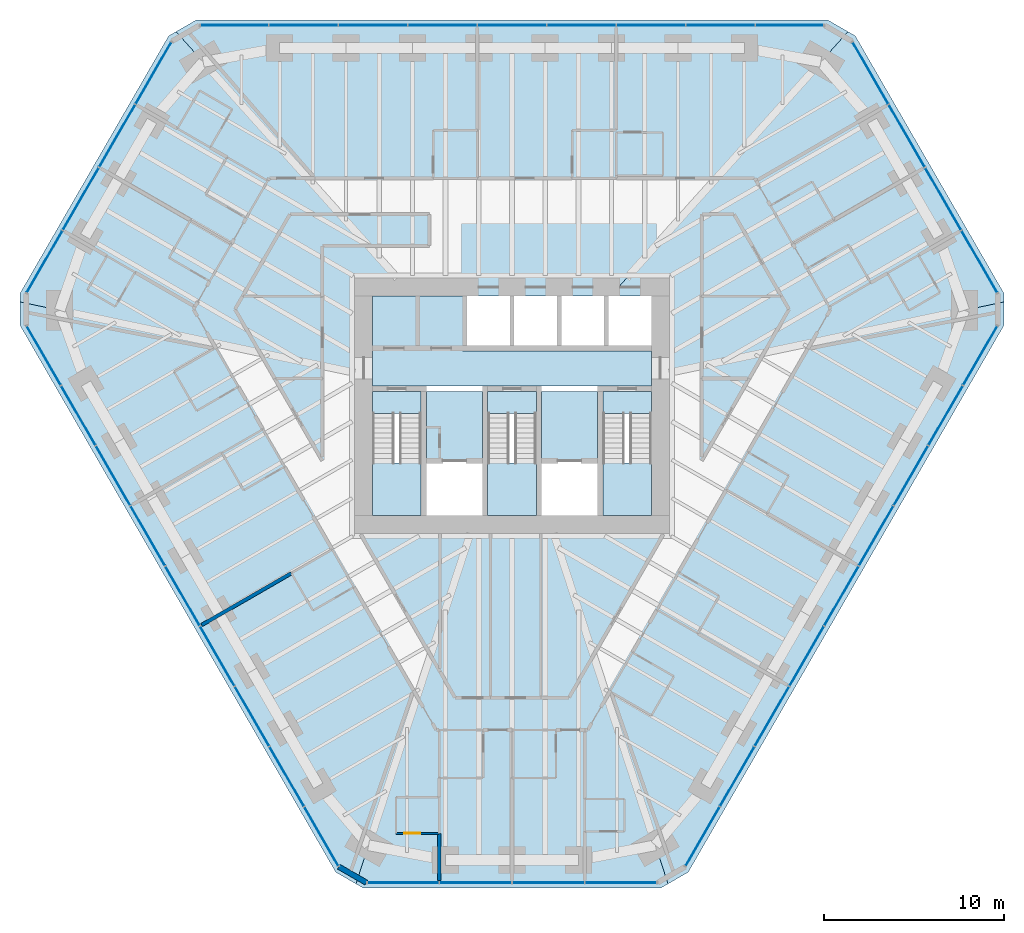
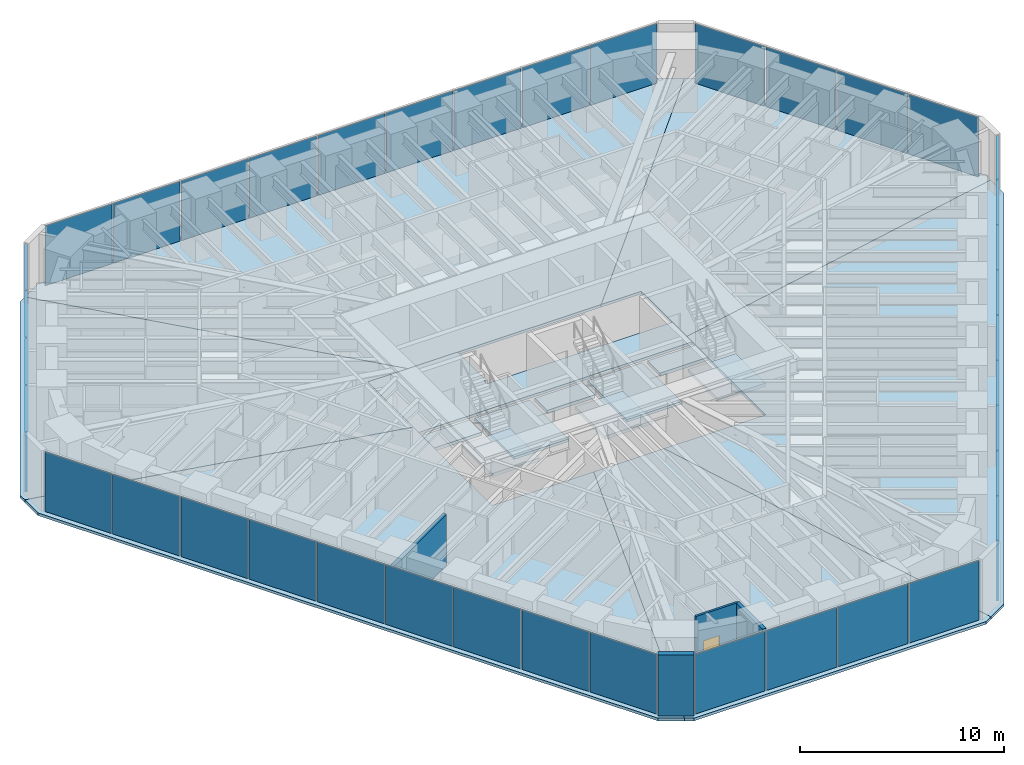
# One storey, part 10 of 17: 39 plates, 15 slabs, 4 walls, 1 door, 1 opening, 9 elements without a shape of their own.
"""IFC4 building model written with IfcOpenShell, lengths in metres."""

from ifc_helpers import new_model, si_unit, direction, frame, frame_2d, origin, origin_2d, place, context, subcontext, project, spatial, polyline, rectangle, outline, extrude, material, layer, layer_set, type_object, element, fill, aggregate, save


model = new_model("IFC4")

# Units and contexts
model_context = context("Model", 3, precision=1e-05, world=origin(), true_north=direction((0.0, 1.0)))
body_context = subcontext(model_context, "Body", "Model", "MODEL_VIEW")
ifc_project = project(units=[si_unit("LENGTHUNIT", "METRE"), si_unit("AREAUNIT", "SQUARE_METRE"), si_unit("VOLUMEUNIT", "CUBIC_METRE"), si_unit("PLANEANGLEUNIT", "RADIAN"), si_unit("MASSUNIT", "GRAM", prefix="KILO")], contexts=[model_context])

# Site, building, storey
site_placement = place(None, origin())
site = spatial("IfcSite", under=ifc_project, at=site_placement, CompositionType="ELEMENT")
building_placement = place(site_placement, origin())
building = spatial("IfcBuilding", under=site, at=building_placement, Name="Sandreach Pilgrim Tower", CompositionType="ELEMENT")
storey_placement = place(building_placement, frame((0.0, 0.0, 194.60009765625)))
storey = spatial("IfcBuildingStorey", under=building, at=storey_placement, Name="L48", CompositionType="ELEMENT", Elevation=194.60009765625)

# Curtain wall, plates
ifc_material_1 = material(Name="Aluminium framed curtain wall", Category="aluminium")
curtain_wall_type = type_object("IfcCurtainWallType", Name="Upper hotel tower curtain wall", PredefinedType="NOTDEFINED", material=ifc_material_1)
curtain_wall_1_placement = place(storey_placement, origin())
curtain_wall_1 = element("IfcCurtainWall", 1, at=curtain_wall_1_placement, inside=storey, type_object=curtain_wall_type, Name="CW-3 L48 N", PredefinedType="NOTDEFINED")
ifc_material_2 = material(Name="Insulating glass unit 12.76 laminated + 20 argon + 12.76 laminated", Category="glass")
ifc_layer_1 = layer(ifc_material_2, 0.0458984375)
ifc_layer_set_1 = layer_set([ifc_layer_1], Name="CW-3 panel")
plate_type = type_object("IfcPlateType", Name="CW-3 panel", PredefinedType="CURTAIN_PANEL", material=ifc_layer_set_1)
plate_1_placement = place(storey_placement, frame((-15.44140625, 21.16015625, 0.0), z_axis=(0.0, 0.0, 1.0), x_axis=(1.0, 0.0, 0.0)))
plate_1 = element("IfcPlate", 2, at=plate_1_placement, type_object=plate_type, Name="CW-3 panel 1", PredefinedType="CURTAIN_PANEL", context=body_context, shape_type="SweptSolid", body=[
    extrude(rectangle(XDim=3.766845703125, YDim=0.0458984375, at=origin_2d()), origin(), (0.0, 0.0, 1.0), 3.570068359375),
])
plate_2_placement = place(storey_placement, frame((-11.59326171875, 21.16015625, 0.0), z_axis=(0.0, 0.0, 1.0), x_axis=(1.0, 0.0, 0.0)))
plate_2 = element("IfcPlate", 3, at=plate_2_placement, type_object=plate_type, Name="CW-3 panel 2", PredefinedType="CURTAIN_PANEL", context=body_context, shape_type="SweptSolid", body=[
    extrude(rectangle(XDim=3.79931640625, YDim=0.0458984375, at=origin_2d()), origin(), (0.0, 0.0, 1.0), 3.570068359375),
])
plate_3_placement = place(storey_placement, frame((-7.728759765625, 21.16015625, 0.0), z_axis=(0.0, 0.0, 1.0), x_axis=(1.0, 0.0, 0.0)))
plate_3 = element("IfcPlate", 4, at=plate_3_placement, type_object=plate_type, Name="CW-3 panel 3", PredefinedType="CURTAIN_PANEL", context=body_context, shape_type="SweptSolid", body=[
    extrude(rectangle(XDim=3.79931640625, YDim=0.0458984375, at=origin_2d()), origin(), (0.0, 0.0, 1.0), 3.570068359375),
])
plate_4_placement = place(storey_placement, frame((-3.864501953125, 21.16015625, 0.0), z_axis=(0.0, 0.0, 1.0), x_axis=(1.0, 0.0, 0.0)))
plate_4 = element("IfcPlate", 5, at=plate_4_placement, type_object=plate_type, Name="CW-3 panel 4", PredefinedType="CURTAIN_PANEL", context=body_context, shape_type="SweptSolid", body=[
    extrude(rectangle(XDim=3.79931640625, YDim=0.0458984375, at=origin_2d()), origin(), (0.0, 0.0, 1.0), 3.570068359375),
])
plate_5_placement = place(storey_placement, frame((0.0, 21.16015625, 0.0), z_axis=(0.0, 0.0, 1.0), x_axis=(1.0, 0.0, 0.0)))
plate_5 = element("IfcPlate", 6, at=plate_5_placement, type_object=plate_type, Name="CW-3 panel 5", PredefinedType="CURTAIN_PANEL", context=body_context, shape_type="SweptSolid", body=[
    extrude(rectangle(XDim=3.79931640625, YDim=0.0458984375, at=origin_2d()), origin(), (0.0, 0.0, 1.0), 3.570068359375),
])
plate_6_placement = place(storey_placement, frame((3.864501953125, 21.16015625, 0.0), z_axis=(0.0, 0.0, 1.0), x_axis=(1.0, 0.0, 0.0)))
plate_6 = element("IfcPlate", 7, at=plate_6_placement, type_object=plate_type, Name="CW-3 panel 6", PredefinedType="CURTAIN_PANEL", context=body_context, shape_type="SweptSolid", body=[
    extrude(rectangle(XDim=3.79931640625, YDim=0.0458984375, at=origin_2d()), origin(), (0.0, 0.0, 1.0), 3.570068359375),
])
plate_7_placement = place(storey_placement, frame((7.728759765625, 21.16015625, 0.0), z_axis=(0.0, 0.0, 1.0), x_axis=(1.0, 0.0, 0.0)))
plate_7 = element("IfcPlate", 8, at=plate_7_placement, type_object=plate_type, Name="CW-3 panel 7", PredefinedType="CURTAIN_PANEL", context=body_context, shape_type="SweptSolid", body=[
    extrude(rectangle(XDim=3.79931640625, YDim=0.0458984375, at=origin_2d()), origin(), (0.0, 0.0, 1.0), 3.570068359375),
])
plate_8_placement = place(storey_placement, frame((11.59326171875, 21.16015625, 0.0), z_axis=(0.0, 0.0, 1.0), x_axis=(1.0, 0.0, 0.0)))
plate_8 = element("IfcPlate", 9, at=plate_8_placement, type_object=plate_type, Name="CW-3 panel 8", PredefinedType="CURTAIN_PANEL", context=body_context, shape_type="SweptSolid", body=[
    extrude(rectangle(XDim=3.79931640625, YDim=0.0458984375, at=origin_2d()), origin(), (0.0, 0.0, 1.0), 3.570068359375),
])
plate_9_placement = place(storey_placement, frame((15.44140625, 21.16015625, 0.0), z_axis=(0.0, 0.0, 1.0), x_axis=(1.0, 0.0, 0.0)))
plate_9 = element("IfcPlate", 10, at=plate_9_placement, type_object=plate_type, Name="CW-3 panel 9", PredefinedType="CURTAIN_PANEL", context=body_context, shape_type="SweptSolid", body=[
    extrude(rectangle(XDim=3.766845703125, YDim=0.0458984375, at=origin_2d()), origin(), (0.0, 0.0, 1.0), 3.570068359375),
])
aggregate(curtain_wall_1, [plate_1, plate_2, plate_3, plate_4, plate_5, plate_6, plate_7, plate_8, plate_9])

curtain_wall_2_placement = place(storey_placement, origin())
curtain_wall_2 = element("IfcCurtainWall", 11, at=curtain_wall_2_placement, inside=storey, type_object=curtain_wall_type, Name="CW-3 L48 NE", PredefinedType="NOTDEFINED")
plate_10_placement = place(storey_placement, frame((19.943115234375, 18.5078125, 0.0), z_axis=(0.0, 0.0, 1.0), x_axis=(0.5, -0.866025403784, 0.0)))
plate_10 = element("IfcPlate", 12, at=plate_10_placement, type_object=plate_type, Name="CW-3 panel 1", PredefinedType="CURTAIN_PANEL", context=body_context, shape_type="SweptSolid", body=[
    extrude(rectangle(XDim=3.951171875, YDim=0.0458984375, at=origin_2d()), origin(), (0.0, 0.0, 1.0), 3.570068359375),
])
plate_11_placement = place(storey_placement, frame((21.959228515625, 15.015625, 0.0), z_axis=(0.0, 0.0, 1.0), x_axis=(0.5, -0.866025403784, 0.0)))
plate_11 = element("IfcPlate", 13, at=plate_11_placement, type_object=plate_type, Name="CW-3 panel 2", PredefinedType="CURTAIN_PANEL", context=body_context, shape_type="SweptSolid", body=[
    extrude(rectangle(XDim=3.983642578125, YDim=0.0458984375, at=origin_2d()), origin(), (0.0, 0.0, 1.0), 3.570068359375),
])
plate_12_placement = place(storey_placement, frame((23.983642578125, 11.509521484375, 0.0), z_axis=(0.0, 0.0, 1.0), x_axis=(0.5, -0.866025403784, 0.0)))
plate_12 = element("IfcPlate", 14, at=plate_12_placement, type_object=plate_type, Name="CW-3 panel 3", PredefinedType="CURTAIN_PANEL", context=body_context, shape_type="SweptSolid", body=[
    extrude(rectangle(XDim=3.983642578125, YDim=0.0458984375, at=origin_2d()), origin(), (0.0, 0.0, 1.0), 3.570068359375),
])
plate_13_placement = place(storey_placement, frame((25.999755859375, 8.017333984375, 0.0), z_axis=(0.0, 0.0, 1.0), x_axis=(0.5, -0.866025403784, 0.0)))
plate_13 = element("IfcPlate", 15, at=plate_13_placement, type_object=plate_type, Name="CW-3 panel 4", PredefinedType="CURTAIN_PANEL", context=body_context, shape_type="SweptSolid", body=[
    extrude(rectangle(XDim=3.951171875, YDim=0.0458984375, at=origin_2d()), origin(), (0.0, 0.0, 1.0), 3.570068359375),
])
aggregate(curtain_wall_2, [plate_10, plate_11, plate_12, plate_13])

curtain_wall_3_placement = place(storey_placement, origin())
curtain_wall_3 = element("IfcCurtainWall", 16, at=curtain_wall_3_placement, inside=storey, type_object=curtain_wall_type, Name="CW-3 L48 SE", PredefinedType="NOTDEFINED")
plate_14_placement = place(storey_placement, frame((26.0458984375, 2.792724609375, 0.0), z_axis=(0.0, 0.0, 1.0), x_axis=(-0.5, -0.866025403784, 0.0)))
plate_14 = element("IfcPlate", 17, at=plate_14_placement, type_object=plate_type, Name="CW-3 panel 1", PredefinedType="CURTAIN_PANEL", context=body_context, shape_type="SweptSolid", body=[
    extrude(rectangle(XDim=3.766845703125, YDim=0.0458984375, at=origin_2d()), origin(), (0.0, 0.0, 1.0), 3.570068359375),
])
plate_15_placement = place(storey_placement, frame((24.121826171875, -0.5400390625, 0.0), z_axis=(0.0, 0.0, 1.0), x_axis=(-0.5, -0.866025403784, 0.0)))
plate_15 = element("IfcPlate", 18, at=plate_15_placement, type_object=plate_type, Name="CW-3 panel 2", PredefinedType="CURTAIN_PANEL", context=body_context, shape_type="SweptSolid", body=[
    extrude(rectangle(XDim=3.79931640625, YDim=0.0458984375, at=origin_2d()), origin(), (0.0, 0.0, 1.0), 3.570068359375),
])
plate_16_placement = place(storey_placement, frame((22.189697265625, -3.88671875, 0.0), z_axis=(0.0, 0.0, 1.0), x_axis=(-0.5, -0.866025403784, 0.0)))
plate_16 = element("IfcPlate", 19, at=plate_16_placement, type_object=plate_type, Name="CW-3 panel 3", PredefinedType="CURTAIN_PANEL", context=body_context, shape_type="SweptSolid", body=[
    extrude(rectangle(XDim=3.79931640625, YDim=0.0458984375, at=origin_2d()), origin(), (0.0, 0.0, 1.0), 3.570068359375),
])
plate_17_placement = place(storey_placement, frame((20.25732421875, -7.2333984375, 0.0), z_axis=(0.0, 0.0, 1.0), x_axis=(-0.5, -0.866025403784, 0.0)))
plate_17 = element("IfcPlate", 20, at=plate_17_placement, type_object=plate_type, Name="CW-3 panel 4", PredefinedType="CURTAIN_PANEL", context=body_context, shape_type="SweptSolid", body=[
    extrude(rectangle(XDim=3.79931640625, YDim=0.0458984375, at=origin_2d()), origin(), (0.0, 0.0, 1.0), 3.570068359375),
])
plate_18_placement = place(storey_placement, frame((18.3251953125, -10.580078125, 0.0), z_axis=(0.0, 0.0, 1.0), x_axis=(-0.5, -0.866025403784, 0.0)))
plate_18 = element("IfcPlate", 21, at=plate_18_placement, type_object=plate_type, Name="CW-3 panel 5", PredefinedType="CURTAIN_PANEL", context=body_context, shape_type="SweptSolid", body=[
    extrude(rectangle(XDim=3.79931640625, YDim=0.0458984375, at=origin_2d()), origin(), (0.0, 0.0, 1.0), 3.570068359375),
])
plate_19_placement = place(storey_placement, frame((16.39306640625, -13.9267578125, 0.0), z_axis=(0.0, 0.0, 1.0), x_axis=(-0.5, -0.866025403784, 0.0)))
plate_19 = element("IfcPlate", 22, at=plate_19_placement, type_object=plate_type, Name="CW-3 panel 6", PredefinedType="CURTAIN_PANEL", context=body_context, shape_type="SweptSolid", body=[
    extrude(rectangle(XDim=3.79931640625, YDim=0.0458984375, at=origin_2d()), origin(), (0.0, 0.0, 1.0), 3.570068359375),
])
plate_20_placement = place(storey_placement, frame((14.460693359375, -17.2734375, 0.0), z_axis=(0.0, 0.0, 1.0), x_axis=(-0.5, -0.866025403784, 0.0)))
plate_20 = element("IfcPlate", 23, at=plate_20_placement, type_object=plate_type, Name="CW-3 panel 7", PredefinedType="CURTAIN_PANEL", context=body_context, shape_type="SweptSolid", body=[
    extrude(rectangle(XDim=3.79931640625, YDim=0.0458984375, at=origin_2d()), origin(), (0.0, 0.0, 1.0), 3.570068359375),
])
plate_21_placement = place(storey_placement, frame((12.528564453125, -20.6201171875, 0.0), z_axis=(0.0, 0.0, 1.0), x_axis=(-0.5, -0.866025403784, 0.0)))
plate_21 = element("IfcPlate", 24, at=plate_21_placement, type_object=plate_type, Name="CW-3 panel 8", PredefinedType="CURTAIN_PANEL", context=body_context, shape_type="SweptSolid", body=[
    extrude(rectangle(XDim=3.79931640625, YDim=0.0458984375, at=origin_2d()), origin(), (0.0, 0.0, 1.0), 3.570068359375),
])
plate_22_placement = place(storey_placement, frame((10.6044921875, -23.95263671875, 0.0), z_axis=(0.0, 0.0, 1.0), x_axis=(-0.5, -0.866025403784, 0.0)))
plate_22 = element("IfcPlate", 25, at=plate_22_placement, type_object=plate_type, Name="CW-3 panel 9", PredefinedType="CURTAIN_PANEL", context=body_context, shape_type="SweptSolid", body=[
    extrude(rectangle(XDim=3.766845703125, YDim=0.0458984375, at=origin_2d()), origin(), (0.0, 0.0, 1.0), 3.570068359375),
])
aggregate(curtain_wall_3, [plate_14, plate_15, plate_16, plate_17, plate_18, plate_19, plate_20, plate_21, plate_22])

curtain_wall_4_placement = place(storey_placement, origin())
curtain_wall_4 = element("IfcCurtainWall", 26, at=curtain_wall_4_placement, inside=storey, type_object=curtain_wall_type, Name="CW-3 L48 S", PredefinedType="NOTDEFINED")
plate_23_placement = place(storey_placement, frame((6.056884765625, -26.525146484375, 0.0), z_axis=(0.0, 0.0, 1.0), x_axis=(-1.0, 0.0, 0.0)))
plate_23 = element("IfcPlate", 27, at=plate_23_placement, type_object=plate_type, Name="CW-3 panel 1", PredefinedType="CURTAIN_PANEL", context=body_context, shape_type="SweptSolid", body=[
    extrude(rectangle(XDim=3.951171875, YDim=0.0458984375, at=origin_2d()), origin(), (0.0, 0.0, 1.0), 3.570068359375),
])
plate_24_placement = place(storey_placement, frame((2.0244140625, -26.525146484375, 0.0), z_axis=(0.0, 0.0, 1.0), x_axis=(-1.0, 0.0, 0.0)))
plate_24 = element("IfcPlate", 28, at=plate_24_placement, type_object=plate_type, Name="CW-3 panel 2", PredefinedType="CURTAIN_PANEL", context=body_context, shape_type="SweptSolid", body=[
    extrude(rectangle(XDim=3.983642578125, YDim=0.0458984375, at=origin_2d()), origin(), (0.0, 0.0, 1.0), 3.570068359375),
])
plate_25_placement = place(storey_placement, frame((-2.0244140625, -26.525146484375, 0.0), z_axis=(0.0, 0.0, 1.0), x_axis=(-1.0, 0.0, 0.0)))
plate_25 = element("IfcPlate", 29, at=plate_25_placement, type_object=plate_type, Name="CW-3 panel 3", PredefinedType="CURTAIN_PANEL", context=body_context, shape_type="SweptSolid", body=[
    extrude(rectangle(XDim=3.983642578125, YDim=0.0458984375, at=origin_2d()), origin(), (0.0, 0.0, 1.0), 3.570068359375),
])
plate_26_placement = place(storey_placement, frame((-6.056884765625, -26.525146484375, 0.0), z_axis=(0.0, 0.0, 1.0), x_axis=(-1.0, 0.0, 0.0)))
plate_26 = element("IfcPlate", 30, at=plate_26_placement, type_object=plate_type, Name="CW-3 panel 4", PredefinedType="CURTAIN_PANEL", context=body_context, shape_type="SweptSolid", body=[
    extrude(rectangle(XDim=3.951171875, YDim=0.0458984375, at=origin_2d()), origin(), (0.0, 0.0, 1.0), 3.570068359375),
])
aggregate(curtain_wall_4, [plate_23, plate_24, plate_25, plate_26])

curtain_wall_5_placement = place(storey_placement, origin())
curtain_wall_5 = element("IfcCurtainWall", 31, at=curtain_wall_5_placement, inside=storey, type_object=curtain_wall_type, Name="CW-3 L48 SW", PredefinedType="NOTDEFINED")
plate_27_placement = place(storey_placement, frame((-10.6044921875, -23.95263671875, 0.0), z_axis=(0.0, 0.0, 1.0), x_axis=(-0.5, 0.866025403784, 0.0)))
plate_27 = element("IfcPlate", 32, at=plate_27_placement, type_object=plate_type, Name="CW-3 panel 1", PredefinedType="CURTAIN_PANEL", context=body_context, shape_type="SweptSolid", body=[
    extrude(rectangle(XDim=3.766845703125, YDim=0.0458984375, at=origin_2d()), origin(), (0.0, 0.0, 1.0), 3.570068359375),
])
plate_28_placement = place(storey_placement, frame((-12.528564453125, -20.6201171875, 0.0), z_axis=(0.0, 0.0, 1.0), x_axis=(-0.5, 0.866025403784, 0.0)))
plate_28 = element("IfcPlate", 33, at=plate_28_placement, type_object=plate_type, Name="CW-3 panel 2", PredefinedType="CURTAIN_PANEL", context=body_context, shape_type="SweptSolid", body=[
    extrude(rectangle(XDim=3.79931640625, YDim=0.0458984375, at=origin_2d()), origin(), (0.0, 0.0, 1.0), 3.570068359375),
])
plate_29_placement = place(storey_placement, frame((-14.460693359375, -17.2734375, 0.0), z_axis=(0.0, 0.0, 1.0), x_axis=(-0.5, 0.866025403784, 0.0)))
plate_29 = element("IfcPlate", 34, at=plate_29_placement, type_object=plate_type, Name="CW-3 panel 3", PredefinedType="CURTAIN_PANEL", context=body_context, shape_type="SweptSolid", body=[
    extrude(rectangle(XDim=3.79931640625, YDim=0.0458984375, at=origin_2d()), origin(), (0.0, 0.0, 1.0), 3.570068359375),
])
plate_30_placement = place(storey_placement, frame((-16.39306640625, -13.9267578125, 0.0), z_axis=(0.0, 0.0, 1.0), x_axis=(-0.5, 0.866025403784, 0.0)))
plate_30 = element("IfcPlate", 35, at=plate_30_placement, type_object=plate_type, Name="CW-3 panel 4", PredefinedType="CURTAIN_PANEL", context=body_context, shape_type="SweptSolid", body=[
    extrude(rectangle(XDim=3.79931640625, YDim=0.0458984375, at=origin_2d()), origin(), (0.0, 0.0, 1.0), 3.570068359375),
])
plate_31_placement = place(storey_placement, frame((-18.3251953125, -10.580078125, 0.0), z_axis=(0.0, 0.0, 1.0), x_axis=(-0.5, 0.866025403784, 0.0)))
plate_31 = element("IfcPlate", 36, at=plate_31_placement, type_object=plate_type, Name="CW-3 panel 5", PredefinedType="CURTAIN_PANEL", context=body_context, shape_type="SweptSolid", body=[
    extrude(rectangle(XDim=3.79931640625, YDim=0.0458984375, at=origin_2d()), origin(), (0.0, 0.0, 1.0), 3.570068359375),
])
plate_32_placement = place(storey_placement, frame((-20.25732421875, -7.2333984375, 0.0), z_axis=(0.0, 0.0, 1.0), x_axis=(-0.5, 0.866025403784, 0.0)))
plate_32 = element("IfcPlate", 37, at=plate_32_placement, type_object=plate_type, Name="CW-3 panel 6", PredefinedType="CURTAIN_PANEL", context=body_context, shape_type="SweptSolid", body=[
    extrude(rectangle(XDim=3.79931640625, YDim=0.0458984375, at=origin_2d()), origin(), (0.0, 0.0, 1.0), 3.570068359375),
])
plate_33_placement = place(storey_placement, frame((-22.189697265625, -3.88671875, 0.0), z_axis=(0.0, 0.0, 1.0), x_axis=(-0.5, 0.866025403784, 0.0)))
plate_33 = element("IfcPlate", 38, at=plate_33_placement, type_object=plate_type, Name="CW-3 panel 7", PredefinedType="CURTAIN_PANEL", context=body_context, shape_type="SweptSolid", body=[
    extrude(rectangle(XDim=3.79931640625, YDim=0.0458984375, at=origin_2d()), origin(), (0.0, 0.0, 1.0), 3.570068359375),
])
plate_34_placement = place(storey_placement, frame((-24.121826171875, -0.5400390625, 0.0), z_axis=(0.0, 0.0, 1.0), x_axis=(-0.5, 0.866025403784, 0.0)))
plate_34 = element("IfcPlate", 39, at=plate_34_placement, type_object=plate_type, Name="CW-3 panel 8", PredefinedType="CURTAIN_PANEL", context=body_context, shape_type="SweptSolid", body=[
    extrude(rectangle(XDim=3.79931640625, YDim=0.0458984375, at=origin_2d()), origin(), (0.0, 0.0, 1.0), 3.570068359375),
])
plate_35_placement = place(storey_placement, frame((-26.0458984375, 2.792724609375, 0.0), z_axis=(0.0, 0.0, 1.0), x_axis=(-0.5, 0.866025403784, 0.0)))
plate_35 = element("IfcPlate", 40, at=plate_35_placement, type_object=plate_type, Name="CW-3 panel 9", PredefinedType="CURTAIN_PANEL", context=body_context, shape_type="SweptSolid", body=[
    extrude(rectangle(XDim=3.766845703125, YDim=0.0458984375, at=origin_2d()), origin(), (0.0, 0.0, 1.0), 3.570068359375),
])
aggregate(curtain_wall_5, [plate_27, plate_28, plate_29, plate_30, plate_31, plate_32, plate_33, plate_34, plate_35])

curtain_wall_6_placement = place(storey_placement, origin())
curtain_wall_6 = element("IfcCurtainWall", 41, at=curtain_wall_6_placement, inside=storey, type_object=curtain_wall_type, Name="CW-3 L48 NW", PredefinedType="NOTDEFINED")
plate_36_placement = place(storey_placement, frame((-25.999755859375, 8.017333984375, 0.0), z_axis=(0.0, 0.0, 1.0), x_axis=(0.5, 0.866025403784, 0.0)))
plate_36 = element("IfcPlate", 42, at=plate_36_placement, type_object=plate_type, Name="CW-3 panel 1", PredefinedType="CURTAIN_PANEL", context=body_context, shape_type="SweptSolid", body=[
    extrude(rectangle(XDim=3.951171875, YDim=0.0458984375, at=origin_2d()), origin(), (0.0, 0.0, 1.0), 3.570068359375),
])
plate_37_placement = place(storey_placement, frame((-23.983642578125, 11.509521484375, 0.0), z_axis=(0.0, 0.0, 1.0), x_axis=(0.5, 0.866025403784, 0.0)))
plate_37 = element("IfcPlate", 43, at=plate_37_placement, type_object=plate_type, Name="CW-3 panel 2", PredefinedType="CURTAIN_PANEL", context=body_context, shape_type="SweptSolid", body=[
    extrude(rectangle(XDim=3.983642578125, YDim=0.0458984375, at=origin_2d()), origin(), (0.0, 0.0, 1.0), 3.570068359375),
])
plate_38_placement = place(storey_placement, frame((-21.959228515625, 15.015625, 0.0), z_axis=(0.0, 0.0, 1.0), x_axis=(0.5, 0.866025403784, 0.0)))
plate_38 = element("IfcPlate", 44, at=plate_38_placement, type_object=plate_type, Name="CW-3 panel 3", PredefinedType="CURTAIN_PANEL", context=body_context, shape_type="SweptSolid", body=[
    extrude(rectangle(XDim=3.983642578125, YDim=0.0458984375, at=origin_2d()), origin(), (0.0, 0.0, 1.0), 3.570068359375),
])
plate_39_placement = place(storey_placement, frame((-19.943115234375, 18.5078125, 0.0), z_axis=(0.0, 0.0, 1.0), x_axis=(0.5, 0.866025403784, 0.0)))
plate_39 = element("IfcPlate", 45, at=plate_39_placement, type_object=plate_type, Name="CW-3 panel 4", PredefinedType="CURTAIN_PANEL", context=body_context, shape_type="SweptSolid", body=[
    extrude(rectangle(XDim=3.951171875, YDim=0.0458984375, at=origin_2d()), origin(), (0.0, 0.0, 1.0), 3.570068359375),
])
aggregate(curtain_wall_6, [plate_36, plate_37, plate_38, plate_39])

# Slabs
ifc_material_3 = material(Name="Concrete 8000 psi", Category="concrete")
ifc_layer_2 = layer(ifc_material_3, 0.159912109375)
ifc_layer_set_2 = layer_set([ifc_layer_2], Name="Composite floor slab 160")
slab_type_1 = type_object("IfcSlabType", Name="Composite floor slab 160", PredefinedType="FLOOR", material=ifc_layer_set_2)
slab_1_placement = place(storey_placement, frame((0.0, 0.0, -0.16015625)))
element("IfcSlab", 46, at=slab_1_placement, inside=storey, type_object=slab_type_1, Name="Floor slab L48 N sector", PredefinedType="FLOOR", context=body_context, shape_type="SweptSolid", body=[
    extrude(outline(polyline([(-17.56298828125, 21.460205078125), (17.56298828125, 21.460205078125), (18.68701171875, 20.81103515625), (5.477294921875, 6.10009765625), (-5.477294921875, 6.10009765625), (-18.68701171875, 20.81103515625), (-17.56298828125, 21.460205078125)])), origin(), (0.0, 0.0, 1.0), 0.16015625),
])
slab_2_placement = place(storey_placement, frame((0.0, 0.0, -0.16015625)))
element("IfcSlab", 47, at=slab_2_placement, inside=storey, type_object=slab_type_1, Name="Floor slab L48 NE sector", PredefinedType="FLOOR", context=body_context, shape_type="SweptSolid", body=[
    extrude(outline(polyline([(19.095947265625, 20.5751953125), (27.366455078125, 6.25), (27.366455078125, 5.778076171875), (7.75, 1.63623046875), (7.75, 6.10009765625), (5.477294921875, 6.10009765625), (18.68701171875, 20.81103515625), (19.095947265625, 20.5751953125)])), origin(), (0.0, 0.0, 1.0), 0.16015625),
])
slab_3_placement = place(storey_placement, frame((0.0, 0.0, -0.16015625)))
element("IfcSlab", 48, at=slab_3_placement, inside=storey, type_object=slab_type_1, Name="Floor slab L48 SE sector", PredefinedType="FLOOR", context=body_context, shape_type="SweptSolid", body=[
    extrude(outline(polyline([(27.366455078125, 4.47998046875), (9.803466796875, -25.940185546875), (8.679443359375, -26.589111328125), (1.9912109375, -6.10009765625), (7.75, -6.10009765625), (7.75, 1.63623046875), (27.366455078125, 5.778076171875), (27.366455078125, 4.47998046875)])), origin(), (0.0, 0.0, 1.0), 0.16015625),
])
slab_4_placement = place(storey_placement, frame((0.0, 0.0, -0.16015625)))
element("IfcSlab", 49, at=slab_4_placement, inside=storey, type_object=slab_type_1, Name="Floor slab L48 S sector", PredefinedType="FLOOR", context=body_context, shape_type="SweptSolid", body=[
    extrude(outline(polyline([(8.2705078125, -26.8251953125), (-8.2705078125, -26.8251953125), (-8.679443359375, -26.589111328125), (-1.9912109375, -6.10009765625), (1.9912109375, -6.10009765625), (8.679443359375, -26.589111328125), (8.2705078125, -26.8251953125)])), origin(), (0.0, 0.0, 1.0), 0.16015625),
])
slab_5_placement = place(storey_placement, frame((0.0, 0.0, -0.16015625)))
element("IfcSlab", 50, at=slab_5_placement, inside=storey, type_object=slab_type_1, Name="Floor slab L48 SW sector", PredefinedType="FLOOR", context=body_context, shape_type="SweptSolid", body=[
    extrude(outline(polyline([(-9.803466796875, -25.940185546875), (-27.366455078125, 4.47998046875), (-27.366455078125, 5.778076171875), (-7.75, 1.63623046875), (-7.75, -6.10009765625), (-1.9912109375, -6.10009765625), (-8.679443359375, -26.589111328125), (-9.803466796875, -25.940185546875)])), origin(), (0.0, 0.0, 1.0), 0.16015625),
])
slab_6_placement = place(storey_placement, frame((0.0, 0.0, -0.16015625)))
element("IfcSlab", 51, at=slab_6_placement, inside=storey, type_object=slab_type_1, Name="Floor slab L48 NW sector", PredefinedType="FLOOR", context=body_context, shape_type="SweptSolid", body=[
    extrude(outline(polyline([(-27.366455078125, 6.25), (-19.095947265625, 20.5751953125), (-18.68701171875, 20.81103515625), (-5.477294921875, 6.10009765625), (-7.75, 6.10009765625), (-7.75, 1.63623046875), (-27.366455078125, 5.778076171875), (-27.366455078125, 6.25)])), origin(), (0.0, 0.0, 1.0), 0.16015625),
])
slab_7_placement = place(storey_placement, frame((0.0, 0.0, -0.16015625)))
element("IfcSlab", 52, at=slab_7_placement, inside=storey, type_object=slab_type_1, Name="Core floor slab L48", PredefinedType="FLOOR", context=body_context, shape_type="SweptSolid", body=[
    extrude(outline(polyline([(-2.75, 3.35009765625), (-2.75, 3.050048828125), (-0.125, 3.050048828125), (0.125, 3.050048828125), (2.5, 3.050048828125), (2.75, 3.050048828125), (5.125, 3.050048828125), (5.375, 3.050048828125), (7.75, 3.050048828125), (7.75, 1.10009765625), (5.050048828125, 1.10009765625), (4.75, 1.10009765625), (1.64990234375, 1.10009765625), (1.35009765625, 1.10009765625), (-1.35009765625, 1.10009765625), (-1.64990234375, 1.10009765625), (-4.75, 1.10009765625), (-5.050048828125, 1.10009765625), (-7.75, 1.10009765625), (-7.75, 6.10009765625), (-2.64990234375, 6.10009765625), (-2.64990234375, 3.35009765625), (-2.75, 3.35009765625)])), origin(), (0.0, 0.0, 1.0), 0.16015625),
])
slab_8_placement = place(storey_placement, frame((0.0, 0.0, -0.16015625)))
element("IfcSlab", 53, at=slab_8_placement, inside=storey, type_object=slab_type_1, Name="Core floor slab L48 2", PredefinedType="FLOOR", context=body_context, shape_type="SweptSolid", body=[
    extrude(outline(polyline([(-1.64990234375, -3.050048828125), (-4.75, -3.050048828125), (-4.75, 0.800048828125), (-1.64990234375, 0.800048828125), (-1.64990234375, -3.050048828125)])), origin(), (0.0, 0.0, 1.0), 0.16015625),
])
slab_9_placement = place(storey_placement, frame((0.0, 0.0, -0.16015625)))
element("IfcSlab", 54, at=slab_9_placement, inside=storey, type_object=slab_type_1, Name="Core floor slab L48 3", PredefinedType="FLOOR", context=body_context, shape_type="SweptSolid", body=[
    extrude(outline(polyline([(4.75, -3.050048828125), (1.64990234375, -3.050048828125), (1.64990234375, 0.800048828125), (4.75, 0.800048828125), (4.75, -3.050048828125)])), origin(), (0.0, 0.0, 1.0), 0.16015625),
])

# Stair, slabs
ifc_material_4 = material(Name="Concrete 8000 psi", Category="concrete")
stair_type = type_object("IfcStairType", Name="Core exit stair", PredefinedType="HALF_TURN_STAIR", material=ifc_material_4)
stair_1_placement = place(storey_placement, origin())
stair_1 = element("IfcStair", 55, at=stair_1_placement, inside=storey, type_object=stair_type, Name="Exit stair ST1 L48", PredefinedType="HALF_TURN_STAIR")
ifc_material_5 = material(Name="Concrete 8000 psi", Category="concrete")
ifc_layer_3 = layer(ifc_material_5, 0.199951171875)
ifc_layer_set_3 = layer_set([ifc_layer_3], Name="Core stair landing 200")
slab_type_2 = type_object("IfcSlabType", Name="Core stair landing 200", PredefinedType="LANDING", material=ifc_layer_set_3)
slab_10_placement = place(storey_placement, frame((0.0, 0.0, -0.2001953125)))
slab_10 = element("IfcSlab", 56, at=slab_10_placement, type_object=slab_type_2, Name="ST1 landing 1", PredefinedType="LANDING", context=body_context, shape_type="SweptSolid", body=[
    extrude(outline(polyline([(-7.75, -0.425048828125), (-5.050048828125, -0.425048828125), (-5.050048828125, 0.800048828125), (-7.75, 0.800048828125), (-7.75, -0.425048828125)])), origin(), (0.0, 0.0, 1.0), 0.2001953125),
])
slab_11_placement = place(storey_placement, frame((0.0, 0.0, 1.699951171875)))
slab_11 = element("IfcSlab", 57, at=slab_11_placement, type_object=slab_type_2, Name="ST1 landing 2", PredefinedType="LANDING", context=body_context, shape_type="SweptSolid", body=[
    extrude(outline(polyline([(-7.75, -6.10009765625), (-5.050048828125, -6.10009765625), (-5.050048828125, -3.175048828125), (-7.75, -3.175048828125), (-7.75, -6.10009765625)])), origin(), (0.0, 0.0, 1.0), 0.199951171875),
])
aggregate(stair_1, [slab_10, slab_11])

stair_2_placement = place(storey_placement, origin())
stair_2 = element("IfcStair", 58, at=stair_2_placement, inside=storey, type_object=stair_type, Name="Exit stair ST3 L48", PredefinedType="HALF_TURN_STAIR")
slab_12_placement = place(storey_placement, frame((0.0, 0.0, -0.2001953125)))
slab_12 = element("IfcSlab", 59, at=slab_12_placement, type_object=slab_type_2, Name="ST3 landing 1", PredefinedType="LANDING", context=body_context, shape_type="SweptSolid", body=[
    extrude(outline(polyline([(-1.35009765625, -0.425048828125), (1.35009765625, -0.425048828125), (1.35009765625, 0.800048828125), (-1.35009765625, 0.800048828125), (-1.35009765625, -0.425048828125)])), origin(), (0.0, 0.0, 1.0), 0.2001953125),
])
slab_13_placement = place(storey_placement, frame((0.0, 0.0, 1.699951171875)))
slab_13 = element("IfcSlab", 60, at=slab_13_placement, type_object=slab_type_2, Name="ST3 landing 2", PredefinedType="LANDING", context=body_context, shape_type="SweptSolid", body=[
    extrude(outline(polyline([(-1.35009765625, -6.10009765625), (1.35009765625, -6.10009765625), (1.35009765625, -3.175048828125), (-1.35009765625, -3.175048828125), (-1.35009765625, -6.10009765625)])), origin(), (0.0, 0.0, 1.0), 0.199951171875),
])
aggregate(stair_2, [slab_12, slab_13])

stair_3_placement = place(storey_placement, origin())
stair_3 = element("IfcStair", 61, at=stair_3_placement, inside=storey, type_object=stair_type, Name="Exit stair ST2 L48", PredefinedType="HALF_TURN_STAIR")
slab_14_placement = place(storey_placement, frame((0.0, 0.0, -0.2001953125)))
slab_14 = element("IfcSlab", 62, at=slab_14_placement, type_object=slab_type_2, Name="ST2 landing 1", PredefinedType="LANDING", context=body_context, shape_type="SweptSolid", body=[
    extrude(outline(polyline([(5.050048828125, -0.425048828125), (7.75, -0.425048828125), (7.75, 0.800048828125), (5.050048828125, 0.800048828125), (5.050048828125, -0.425048828125)])), origin(), (0.0, 0.0, 1.0), 0.2001953125),
])
slab_15_placement = place(storey_placement, frame((0.0, 0.0, 1.699951171875)))
slab_15 = element("IfcSlab", 63, at=slab_15_placement, type_object=slab_type_2, Name="ST2 landing 2", PredefinedType="LANDING", context=body_context, shape_type="SweptSolid", body=[
    extrude(outline(polyline([(5.050048828125, -6.10009765625), (7.75, -6.10009765625), (7.75, -3.175048828125), (5.050048828125, -3.175048828125), (5.050048828125, -6.10009765625)])), origin(), (0.0, 0.0, 1.0), 0.199951171875),
])
aggregate(stair_3, [slab_14, slab_15])

# Wall, opening, door
ifc_material_6 = material(Name="Moisture-resistant gypsum board on steel studs", Category="steel")
ifc_layer_4 = layer(ifc_material_6, 0.1201171875)
ifc_layer_set_4 = layer_set([ifc_layer_4], Name="Bathroom partition 120")
wall_type_1 = type_object("IfcWallType", Name="Bathroom partition 120", PredefinedType="PARTITIONING", material=ifc_layer_set_4)
wall_1_placement = place(storey_placement, frame((-6.449951171875, -23.780029296875, 0.0), z_axis=(0.0, 0.0, 1.0), x_axis=(1.0, 0.0, 0.0)))
wall_1 = element("IfcWall", 64, at=wall_1_placement, inside=storey, type_object=wall_type_1, Name="Bathroom partition L48-058", PredefinedType="PARTITIONING", context=body_context, shape_type="SweptSolid", body=[
    extrude(rectangle(XDim=2.39990234375, YDim=0.1201171875, at=frame_2d((1.199951171875, 0.0))), origin(), (0.0, 0.0, 1.0), 3.639892578125),
])
opening_placement = place(wall_1_placement, frame((0.449951171875, 0.0, 0.0)))
opening = element("IfcOpeningElement", 65, at=opening_placement, cuts=wall_1, Name="Opening D09-13B", PredefinedType="OPENING", context=body_context, shape_type="SweptSolid", body=[
    extrude(rectangle(XDim=0.89990234375, YDim=2.030029296875, at=frame_2d((0.449951171875, 1.01513671875))), frame((0.0, 0.06005859375, 0.0), z_axis=(0.0, -1.0, 0.0), x_axis=(1.0, 0.0, 0.0)), (0.0, 0.0, 1.0), 0.1201171875),
])
ifc_material_7 = material(Name="Timber door, steel frame", Category="steel")
door_type = type_object("IfcDoorType", Name="Bathroom door", OperationType="SINGLE_SWING_LEFT", PredefinedType="DOOR", material=ifc_material_7)
door_placement = place(opening_placement, origin())
door = element("IfcDoor", 66, at=door_placement, inside=storey, type_object=door_type, Name="Door 4813B", OperationType="SINGLE_SWING_LEFT", OverallHeight=2.030029296875, OverallWidth=0.89990234375, PredefinedType="DOOR", context=body_context, shape_type="SweptSolid", body=[
    extrude(rectangle(XDim=0.89990234375, YDim=2.030029296875, at=frame_2d((0.449951171875, 1.01513671875))), frame((0.0, 0.02490234375, 0.0), z_axis=(0.0, -1.0, 0.0), x_axis=(1.0, 0.0, 0.0)), (0.0, 0.0, 1.0), 0.050048828125),
])
fill(opening, door)

# Walls
ifc_material_8 = material(Name="Double steel stud acoustic wall, gypsum board", Category="steel")
ifc_layer_5 = layer(ifc_material_8, 0.199951171875)
ifc_layer_set_5 = layer_set([ifc_layer_5], Name="Party wall 200")
wall_type_2 = type_object("IfcWallType", Name="Party wall 200", PredefinedType="PARTITIONING", material=ifc_layer_set_5)
wall_2_placement = place(storey_placement, frame((-17.256103515625, -12.18994140625, 0.0), z_axis=(0.0, 0.0, 1.0), x_axis=(0.865937714159, 0.500151852138, 0.0)))
element("IfcWall", 67, at=wall_2_placement, inside=storey, type_object=wall_type_2, Name="Party wall L48-021", PredefinedType="PARTITIONING", context=body_context, shape_type="SweptSolid", body=[
    extrude(rectangle(XDim=5.758056640625, YDim=0.199951171875, at=frame_2d((2.87890625, 0.0))), origin(), (0.0, 0.0, 1.0), 3.037841796875),
])
wall_3_placement = place(storey_placement, frame((-4.050048828125, -26.409912109375, 0.0), z_axis=(0.0, 0.0, 1.0), x_axis=(0.0, 1.0, 0.0)))
element("IfcWall", 68, at=wall_3_placement, inside=storey, type_object=wall_type_2, Name="Party wall L48-066", PredefinedType="PARTITIONING", context=body_context, shape_type="SweptSolid", body=[
    extrude(rectangle(XDim=2.6298828125, YDim=0.199951171875, at=frame_2d((1.31494140625, 0.0))), origin(), (0.0, 0.0, 1.0), 3.639892578125),
])
ifc_material_9 = material(Name="Terracotta rainscreen on concrete", Category="masonry")
ifc_layer_6 = layer(ifc_material_9, 0.300048828125)
ifc_layer_set_6 = layer_set([ifc_layer_6], Name="Terracotta chamfer pier")
wall_type_3 = type_object("IfcWallType", Name="Terracotta chamfer pier", PredefinedType="SOLIDWALL", material=ifc_layer_set_6)
wall_4_placement = place(storey_placement, frame((-8.097412109375, -26.525146484375, 0.0), z_axis=(0.0, 0.0, 1.0), x_axis=(-0.866036293601, 0.499981137809, 0.0)))
element("IfcWall", 69, at=wall_4_placement, inside=storey, type_object=wall_type_3, Name="Chamfer pier L48 S", PredefinedType="SOLIDWALL", context=body_context, shape_type="SweptSolid", body=[
    extrude(rectangle(XDim=1.77001953125, YDim=0.300048828125, at=frame_2d((0.885009765625, 0.0))), origin(), (0.0, 0.0, 1.0), 3.639892578125),
])

save(model, "model.ifc")
